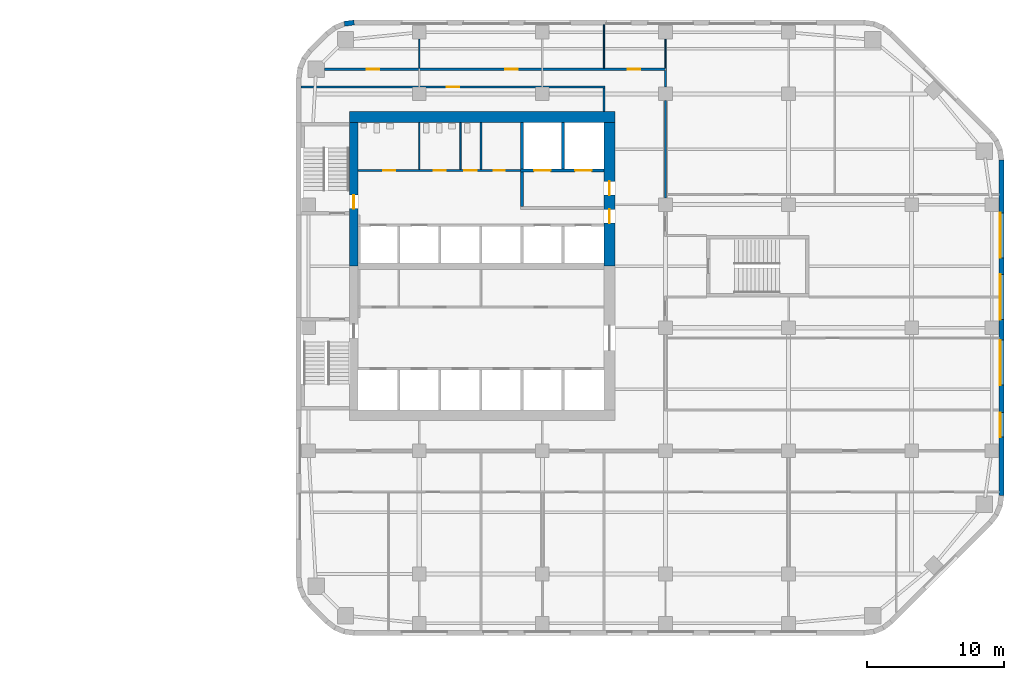
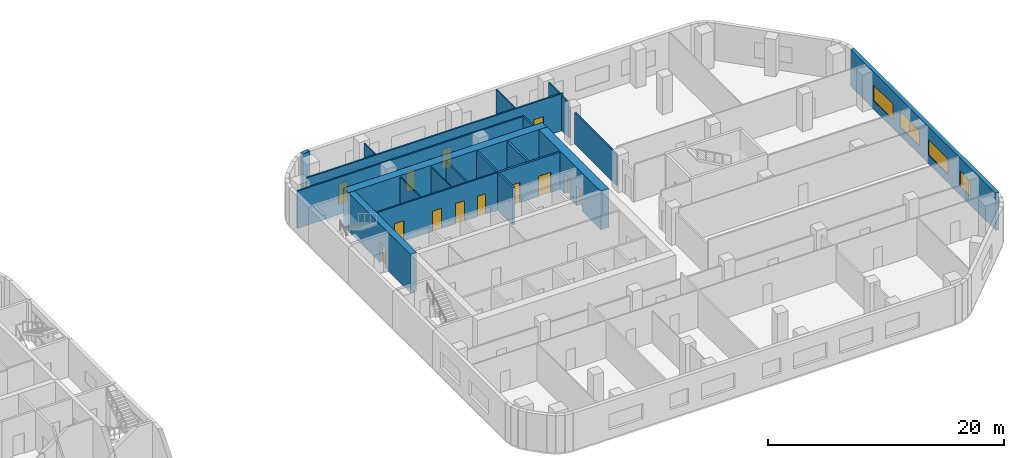
# One storey, part 10 of 15: 21 walls, 13 doors, 4 windows, 17 openings.
"""IFC4 building model written with IfcOpenShell, lengths in metres."""

import ifcopenshell
import ifcopenshell.guid

model = None  # the IFC model being written
_history = None  # IfcOwnerHistory: only IFC2X3 demands one
_inside = {}  # id of a spatial element -> (the spatial element, [elements in it])
_under = {}  # id of a project, library or spatial element -> (it, [spatial elements below it])
_declared = {}  # id of a project -> (the project, [libraries it declares])
_typed = {}  # id of a type object -> (the type object, [elements of that type])
_made_of = {}  # id of a material, layer set ... -> (it, [elements and type objects made of it])


def new_model(schema):
    """Start an empty IFC model of exactly this schema.

    Asked for "IFC4X3", IfcOpenShell would pick the latest addendum, in which some entities
    have other attributes; the version numbers below select the first issue.
    IFC2X3 requires an IfcOwnerHistory on every rooted entity: one is made here for all.
    """
    global model, _history
    if schema == "IFC4X3":
        model = ifcopenshell.file(schema_version=(4, 3, 0, 0))
    else:
        model = ifcopenshell.file(schema=schema)
    _inside.clear()
    _under.clear()
    _declared.clear()
    _typed.clear()
    _made_of.clear()
    _history = None
    if model.schema == "IFC2X3":
        org = make("IfcOrganization", Name="unknown")
        user = make(
            "IfcPersonAndOrganization",
            ThePerson=make("IfcPerson", FamilyName="unknown"),
            TheOrganization=org,
        )
        app = make(
            "IfcApplication",
            ApplicationDeveloper=org,
            Version="unknown",
            ApplicationFullName="unknown",
            ApplicationIdentifier="unknown",
        )
        _history = make(
            "IfcOwnerHistory",
            OwningUser=user,
            OwningApplication=app,
            ChangeAction="ADDED",
            CreationDate=0,
        )
    return model


def make(cls, **values):
    """One entity of the class cls with the attributes given. An attribute that is None is left unset."""
    return model.create_entity(
        cls, **{name: value for name, value in values.items() if value is not None}
    )


def rooted(cls, **values):
    """An entity with a GlobalId (a new one), such as an element, a storey or a relation."""
    return make(cls, GlobalId=ifcopenshell.guid.new(), OwnerHistory=_history, **values)


def si_unit(unit_type, name, prefix=None):
    """IfcSIUnit, for example si_unit("LENGTHUNIT", "METRE", prefix="MILLI")."""
    return make("IfcSIUnit", UnitType=unit_type, Prefix=prefix, Name=name)


def assignment(units):
    """IfcUnitAssignment: the units of a project."""
    return None if units is None else make("IfcUnitAssignment", Units=units)


def point(xyz):
    """IfcCartesianPoint."""
    return None if xyz is None else make("IfcCartesianPoint", Coordinates=xyz)


def direction(xyz):
    """IfcDirection."""
    return None if xyz is None else make("IfcDirection", DirectionRatios=xyz)


def frame(location, z_axis=None, x_axis=None):
    """IfcAxis2Placement3D, a coordinate frame: its origin and axes. An axis left out is left unset."""
    return make(
        "IfcAxis2Placement3D",
        Location=point(location),
        Axis=direction(z_axis),
        RefDirection=direction(x_axis),
    )


def frame_2d(location, x_axis=None):
    """IfcAxis2Placement2D, a coordinate frame in the plane: its origin and x axis."""
    return make(
        "IfcAxis2Placement2D", Location=point(location), RefDirection=direction(x_axis)
    )


def origin():
    """The frame at (0, 0, 0) with its axes left unset."""
    return frame((0.0, 0.0, 0.0))


def place(relative_to, where):
    """IfcLocalPlacement: puts the frame where relative to a parent placement (None: the world)."""
    return make(
        "IfcLocalPlacement", PlacementRelTo=relative_to, RelativePlacement=where
    )


def context(
    kind, dimensions, precision=None, world=None, true_north=None, identifier=None
):
    """IfcGeometricRepresentationContext, for example the 3D "Model" context."""
    return make(
        "IfcGeometricRepresentationContext",
        ContextIdentifier=identifier,
        ContextType=kind,
        CoordinateSpaceDimension=dimensions,
        Precision=precision,
        WorldCoordinateSystem=world,
        TrueNorth=true_north,
    )


def subcontext(parent, identifier, kind, view, scale=None):
    """IfcGeometricRepresentationSubContext, for example "Body" below "Model"."""
    return make(
        "IfcGeometricRepresentationSubContext",
        ContextIdentifier=identifier,
        ContextType=kind,
        ParentContext=parent,
        TargetScale=scale,
        TargetView=view,
    )


def project(units=None, contexts=None):
    """IfcProject with its units and contexts."""
    return rooted(
        "IfcProject",
        Name="project",
        RepresentationContexts=contexts,
        UnitsInContext=assignment(units),
    )


def spatial(cls, under=None, at=None, **own):
    """A site, building, storey or space (cls), placed at a placement, below another one or the project."""
    s = rooted(cls, ObjectPlacement=at, **own)
    if under is not None:
        _under.setdefault(under.id(), (under, []))[1].append(s)
    return s


def profile(cls, at=None, kind="AREA", **sizes):
    """A parametric profile (cls). Its sizes go by their IFC names, for example OverallWidth=200.0."""
    return make(cls, ProfileType=kind, Position=at, **sizes)


def rectangle(**sizes):
    """IfcRectangleProfileDef."""
    return profile("IfcRectangleProfileDef", **sizes)


def extrude(swept, where, along, depth):
    """IfcExtrudedAreaSolid: the profile swept, set in the frame where, extruded along a direction by depth."""
    return make(
        "IfcExtrudedAreaSolid",
        SweptArea=swept,
        Position=where,
        ExtrudedDirection=direction(along),
        Depth=depth,
    )


def shape(context_of_items, identifier, shape_type, items):
    """IfcShapeRepresentation: the items that make up one representation, for example the "Body"."""
    return make(
        "IfcShapeRepresentation",
        ContextOfItems=context_of_items,
        RepresentationIdentifier=identifier,
        RepresentationType=shape_type,
        Items=items,
    )


def material(Name=None, Category=None):
    """IfcMaterial."""
    return make("IfcMaterial", Name=Name, Category=Category)


def layer(
    of_material, thickness, ventilated=None, Name=None, Category=None, Priority=None
):
    """IfcMaterialLayer: one layer of a wall or slab, of a material (None: an air gap)."""
    return make(
        "IfcMaterialLayer",
        Material=of_material,
        LayerThickness=thickness,
        IsVentilated=ventilated,
        Name=Name,
        Category=Category,
        Priority=Priority,
    )


def layer_set(layers, Name=None):
    """IfcMaterialLayerSet."""
    return make("IfcMaterialLayerSet", MaterialLayers=layers, LayerSetName=Name)


def made_of(thing, what):
    """Note that an element or type object is made of a material, layer set ...; save() writes the relation."""
    if what is not None:
        _made_of.setdefault(what.id(), (what, []))[1].append(thing)
    return thing


def type_object(cls, material=None, **own):
    """A type object (cls), such as IfcWallType, which elements share."""
    return made_of(rooted(cls, **own), material)


def element(
    cls,
    number,
    at=None,
    inside=None,
    cuts=None,
    type_object=None,
    material=None,
    context=None,
    identifier="Body",
    shape_type=None,
    held_by="IfcProductDefinitionShape",
    body=None,
    shapes=None,
    **own,
):
    """One element of the class cls, such as IfcWall. Its Tag is "e" and its number.

    at: its placement. inside: the storey or other place that contains it. cuts: it is an
    opening in that element (IfcRelVoidsElement). A single representation is given by context,
    identifier, shape_type and body (its items); several are given by shapes. held_by: the class
    of the entity that holds the representations. save() writes the other relations.
    """
    e = rooted(cls, Tag="e%d" % number, ObjectPlacement=at, **own)
    if body is not None:
        shapes = [shape(context, identifier, shape_type, body)]
    if shapes is not None:
        e.Representation = make(held_by, Representations=shapes)
    if inside is not None:
        _inside.setdefault(inside.id(), (inside, []))[1].append(e)
    if cuts is not None:
        rooted(
            "IfcRelVoidsElement", RelatingBuildingElement=cuts, RelatedOpeningElement=e
        )
    if type_object is not None:
        _typed.setdefault(type_object.id(), (type_object, []))[1].append(e)
    return made_of(e, material)


def fill(opening, filler):
    """IfcRelFillsElement: the door or window that sits in an opening."""
    return rooted(
        "IfcRelFillsElement",
        RelatingOpeningElement=opening,
        RelatedBuildingElement=filler,
    )


def aggregate(whole, parts):
    """IfcRelAggregates: a whole, such as a stair, and the parts it consists of."""
    return rooted("IfcRelAggregates", RelatingObject=whole, RelatedObjects=parts)


def save(model, path):
    """Write the relations noted so far, then the file.

    IfcRelAggregates (storeys below a building ...), IfcRelContainedInSpatialStructure (elements
    in a storey), IfcRelDefinesByType, IfcRelAssociatesMaterial and IfcRelDeclares: one each for
    every whole, place, type object, material and project.
    """
    for whole, parts in _under.values():
        aggregate(whole, parts)
    for where, things in _inside.values():
        rooted(
            "IfcRelContainedInSpatialStructure",
            RelatedElements=things,
            RelatingStructure=where,
        )
    for kind, things in _typed.values():
        rooted("IfcRelDefinesByType", RelatedObjects=things, RelatingType=kind)
    for what, things in _made_of.values():
        rooted("IfcRelAssociatesMaterial", RelatedObjects=things, RelatingMaterial=what)
    for by, libraries in _declared.values():
        rooted("IfcRelDeclares", RelatingContext=by, RelatedDefinitions=libraries)
    model.write(path)


model = new_model("IFC4")

# Units and contexts
model_context = context("Model", 3, precision=1e-05, world=origin(), true_north=direction((0.0, 1.0)))
body_context = subcontext(model_context, "Body", "Model", "MODEL_VIEW")
ifc_project = project(units=[si_unit("LENGTHUNIT", "METRE"), si_unit("AREAUNIT", "SQUARE_METRE"), si_unit("VOLUMEUNIT", "CUBIC_METRE"), si_unit("PLANEANGLEUNIT", "RADIAN"), si_unit("MASSUNIT", "GRAM", prefix="KILO")], contexts=[model_context])

# Site, building, storey
site_placement = place(None, origin())
site = spatial("IfcSite", under=ifc_project, at=site_placement, CompositionType="ELEMENT")
building_placement = place(site_placement, origin())
building = spatial("IfcBuilding", under=site, at=building_placement, Name="Cinnabar Reach Civic Tower", CompositionType="ELEMENT")
storey_placement = place(building_placement, frame((0.0, 0.0, 120.0)))
storey = spatial("IfcBuildingStorey", under=building, at=storey_placement, Name="L28", CompositionType="ELEMENT", Elevation=120.0)

# Wall
ifc_material_1 = material(Name="Facing brick with insulated backing", Category="masonry")
ifc_layer_1 = layer(ifc_material_1, 0.36)
ifc_layer_set_1 = layer_set([ifc_layer_1], Name="Brick corner wall")
wall_type_1 = type_object("IfcWallType", Name="Brick corner wall", PredefinedType="STANDARD", material=ifc_layer_set_1)
wall_1_placement = place(storey_placement, frame((4.2314, 49.317, 0.0), z_axis=(0.0, 0.0, 1.0), x_axis=(-0.99144092581, -0.13055608231, 0.0)))
element("IfcWall", 1, at=wall_1_placement, inside=storey, type_object=wall_type_1, Name="Brick corner wall", PredefinedType="STANDARD", context=body_context, shape_type="SweptSolid", body=[
    extrude(rectangle(XDim=0.7131, YDim=0.36, at=frame_2d((0.3565, 0.0))), origin(), (0.0, 0.0, 1.0), 3.85),
])

# Wall, openings, windows
ifc_layer_2 = layer(ifc_material_1, 0.36)
ifc_layer_set_2 = layer_set([ifc_layer_2], Name="Brick pier and spandrel wall")
wall_type_2 = type_object("IfcWallType", Name="Brick pier and spandrel wall", PredefinedType="STANDARD", material=ifc_layer_set_2)
wall_2_placement = place(storey_placement, frame((51.57, 14.7426, 0.0), z_axis=(0.0, 0.0, 1.0), x_axis=(0.0, 1.0, 0.0)))
wall_2 = element("IfcWall", 2, at=wall_2_placement, inside=storey, type_object=wall_type_2, Name="Brick facade wall", PredefinedType="STANDARD", context=body_context, shape_type="SweptSolid", body=[
    extrude(rectangle(XDim=24.5148, YDim=0.36, at=frame_2d((12.2574, 0.0))), origin(), (0.0, 0.0, 1.0), 3.85),
])
opening_1_placement = place(wall_2_placement, frame((4.2574, 0.0, 0.9)))
opening_1 = element("IfcOpeningElement", 3, at=opening_1_placement, cuts=wall_2, Name="Opening W1597", PredefinedType="OPENING", context=body_context, shape_type="SweptSolid", body=[
    extrude(rectangle(XDim=1.8, YDim=1.6, at=frame_2d((0.9, 0.8))), frame((0.0, 0.19, 0.0), z_axis=(0.0, -1.0, 0.0), x_axis=(1.0, 0.0, 0.0)), (0.0, 0.0, 1.0), 0.38),
])
opening_2_placement = place(wall_2_placement, frame((8.0574, 0.0, 0.9)))
opening_2 = element("IfcOpeningElement", 4, at=opening_2_placement, cuts=wall_2, Name="Opening W1598", PredefinedType="OPENING", context=body_context, shape_type="SweptSolid", body=[
    extrude(rectangle(XDim=3.3, YDim=1.6, at=frame_2d((1.65, 0.8))), frame((0.0, 0.19, 0.0), z_axis=(0.0, -1.0, 0.0), x_axis=(1.0, 0.0, 0.0)), (0.0, 0.0, 1.0), 0.38),
])
opening_3_placement = place(wall_2_placement, frame((12.8574, 0.0, 0.9)))
opening_3 = element("IfcOpeningElement", 5, at=opening_3_placement, cuts=wall_2, Name="Opening W1599", PredefinedType="OPENING", context=body_context, shape_type="SweptSolid", body=[
    extrude(rectangle(XDim=3.3, YDim=1.6, at=frame_2d((1.65, 0.8))), frame((0.0, 0.19, 0.0), z_axis=(0.0, -1.0, 0.0), x_axis=(1.0, 0.0, 0.0)), (0.0, 0.0, 1.0), 0.38),
])
opening_4_placement = place(wall_2_placement, frame((17.3574, 0.0, 0.9)))
opening_4 = element("IfcOpeningElement", 6, at=opening_4_placement, cuts=wall_2, Name="Opening W1600", PredefinedType="OPENING", context=body_context, shape_type="SweptSolid", body=[
    extrude(rectangle(XDim=3.3, YDim=1.6, at=frame_2d((1.65, 0.8))), frame((0.0, 0.19, 0.0), z_axis=(0.0, -1.0, 0.0), x_axis=(1.0, 0.0, 0.0)), (0.0, 0.0, 1.0), 0.38),
])
ifc_material_2 = material(Name="Clear double glazing in aluminium frame", Category="aluminium")
window_type_1 = type_object("IfcWindowType", Name="Deep-set window A", PartitioningType="SINGLE_PANEL", PredefinedType="WINDOW", material=ifc_material_2)
window_1_placement = place(opening_2_placement, origin())
window_1 = element("IfcWindow", 7, at=window_1_placement, inside=storey, type_object=window_type_1, Name="Window east face", OverallHeight=1.6, OverallWidth=3.3, PartitioningType="SINGLE_PANEL", PredefinedType="WINDOW", context=body_context, shape_type="SweptSolid", body=[
    extrude(rectangle(XDim=3.3, YDim=1.6, at=frame_2d((1.65, 0.8))), frame((0.0, 0.13, 0.0), z_axis=(0.0, -1.0, 0.0), x_axis=(1.0, 0.0, 0.0)), (0.0, 0.0, 1.0), 0.06),
])
fill(opening_2, window_1)
window_2_placement = place(opening_3_placement, origin())
window_2 = element("IfcWindow", 8, at=window_2_placement, inside=storey, type_object=window_type_1, Name="Window east face", OverallHeight=1.6, OverallWidth=3.3, PartitioningType="SINGLE_PANEL", PredefinedType="WINDOW", context=body_context, shape_type="SweptSolid", body=[
    extrude(rectangle(XDim=3.3, YDim=1.6, at=frame_2d((1.65, 0.8))), frame((0.0, 0.13, 0.0), z_axis=(0.0, -1.0, 0.0), x_axis=(1.0, 0.0, 0.0)), (0.0, 0.0, 1.0), 0.06),
])
fill(opening_3, window_2)
window_3_placement = place(opening_4_placement, origin())
window_3 = element("IfcWindow", 9, at=window_3_placement, inside=storey, type_object=window_type_1, Name="Window east face", OverallHeight=1.6, OverallWidth=3.3, PartitioningType="SINGLE_PANEL", PredefinedType="WINDOW", context=body_context, shape_type="SweptSolid", body=[
    extrude(rectangle(XDim=3.3, YDim=1.6, at=frame_2d((1.65, 0.8))), frame((0.0, 0.13, 0.0), z_axis=(0.0, -1.0, 0.0), x_axis=(1.0, 0.0, 0.0)), (0.0, 0.0, 1.0), 0.06),
])
fill(opening_4, window_3)
window_type_2 = type_object("IfcWindowType", Name="Deep-set window D", PartitioningType="SINGLE_PANEL", PredefinedType="WINDOW", material=ifc_material_2)
window_4_placement = place(opening_1_placement, origin())
window_4 = element("IfcWindow", 10, at=window_4_placement, inside=storey, type_object=window_type_2, Name="Window east face", OverallHeight=1.6, OverallWidth=1.8, PartitioningType="SINGLE_PANEL", PredefinedType="WINDOW", context=body_context, shape_type="SweptSolid", body=[
    extrude(rectangle(XDim=1.8, YDim=1.6, at=frame_2d((0.9, 0.8))), frame((0.0, 0.13, 0.0), z_axis=(0.0, -1.0, 0.0), x_axis=(1.0, 0.0, 0.0)), (0.0, 0.0, 1.0), 0.06),
])
fill(opening_1, window_4)

# Wall, opening, door
ifc_material_3 = material(Name="Concrete C70", Category="concrete")
ifc_layer_3 = layer(ifc_material_3, 0.6)
ifc_layer_set_3 = layer_set([ifc_layer_3], Name="Core wall 600 EI 180")
wall_type_3 = type_object("IfcWallType", Name="Core wall 600 EI 180", PredefinedType="SOLIDWALL", material=ifc_layer_set_3)
wall_3_placement = place(storey_placement, frame((4.2, 42.0, 0.0), z_axis=(0.0, 0.0, 1.0), x_axis=(0.0, -1.0, 0.0)))
wall_3 = element("IfcWall", 11, at=wall_3_placement, inside=storey, type_object=wall_type_3, Name="Core wall T1 L28 W", PredefinedType="SOLIDWALL", context=body_context, shape_type="SweptSolid", body=[
    extrude(rectangle(XDim=10.5, YDim=0.6, at=frame_2d((5.25, 0.0))), origin(), (0.0, 0.0, 1.0), 4.0),
])
opening_5_placement = place(wall_3_placement, frame((5.3, 0.0, 0.0)))
opening_5 = element("IfcOpeningElement", 12, at=opening_5_placement, cuts=wall_3, Name="Opening D4128", PredefinedType="OPENING", context=body_context, shape_type="SweptSolid", body=[
    extrude(rectangle(XDim=1.0, YDim=2.1, at=frame_2d((0.5, 1.05))), frame((0.0, 0.31, 0.0), z_axis=(0.0, -1.0, 0.0), x_axis=(1.0, 0.0, 0.0)), (0.0, 0.0, 1.0), 0.62),
])
ifc_material_4 = material(Name="Timber door leaf in steel frame", Category="steel")
door_type_1 = type_object("IfcDoorType", Name="Stair door 1000 x 2100 T1", OperationType="SINGLE_SWING_LEFT", PredefinedType="DOOR", material=ifc_material_4)
door_1_placement = place(opening_5_placement, frame((1.0, 0.0, 0.0), z_axis=(0.0, 0.0, 1.0), x_axis=(-1.0, 0.0, 0.0)))
door_1 = element("IfcDoor", 13, at=door_1_placement, inside=storey, type_object=door_type_1, Name="Door D4128", OperationType="SINGLE_SWING_LEFT", OverallHeight=2.1, OverallWidth=1.0, PredefinedType="DOOR", context=body_context, shape_type="SweptSolid", body=[
    extrude(rectangle(XDim=1.0, YDim=2.1, at=frame_2d((0.5, 1.05))), frame((0.0, 0.025, 0.0), z_axis=(0.0, -1.0, 0.0), x_axis=(1.0, 0.0, 0.0)), (0.0, 0.0, 1.0), 0.05),
])
fill(opening_5, door_1)

# Wall
ifc_layer_4 = layer(ifc_material_3, 0.8)
ifc_layer_set_4 = layer_set([ifc_layer_4], Name="Core wall 800 EI 180")
wall_type_4 = type_object("IfcWallType", Name="Core wall 800 EI 180", PredefinedType="SOLIDWALL", material=ifc_layer_set_4)
wall_4_placement = place(storey_placement, frame((23.3, 42.4, 0.0), z_axis=(0.0, 0.0, 1.0), x_axis=(-1.0, 0.0, 0.0)))
element("IfcWall", 14, at=wall_4_placement, inside=storey, type_object=wall_type_4, Name="Core wall T1 L28 N", PredefinedType="SOLIDWALL", context=body_context, shape_type="SweptSolid", body=[
    extrude(rectangle(XDim=19.4, YDim=0.8, at=frame_2d((9.7, 0.0))), origin(), (0.0, 0.0, 1.0), 4.0),
])

# Wall, openings, doors
wall_5_placement = place(storey_placement, frame((22.9, 31.5, 0.0), z_axis=(0.0, 0.0, 1.0), x_axis=(0.0, 1.0, 0.0)))
wall_5 = element("IfcWall", 15, at=wall_5_placement, inside=storey, type_object=wall_type_4, Name="Core wall T1 L28 E2", PredefinedType="SOLIDWALL", context=body_context, shape_type="SweptSolid", body=[
    extrude(rectangle(XDim=10.5, YDim=0.8, at=frame_2d((5.25, 0.0))), origin(), (0.0, 0.0, 1.0), 4.0),
])
opening_6_placement = place(wall_5_placement, frame((3.15, 0.0, 0.0)))
opening_6 = element("IfcOpeningElement", 16, at=opening_6_placement, cuts=wall_5, Name="Opening D4143", PredefinedType="OPENING", context=body_context, shape_type="SweptSolid", body=[
    extrude(rectangle(XDim=1.0, YDim=2.1, at=frame_2d((0.5, 1.05))), frame((0.0, 0.41, 0.0), z_axis=(0.0, -1.0, 0.0), x_axis=(1.0, 0.0, 0.0)), (0.0, 0.0, 1.0), 0.82),
])
opening_7_placement = place(wall_5_placement, frame((5.2, 0.0, 0.0)))
opening_7 = element("IfcOpeningElement", 17, at=opening_7_placement, cuts=wall_5, Name="Opening D4144", PredefinedType="OPENING", context=body_context, shape_type="SweptSolid", body=[
    extrude(rectangle(XDim=1.0, YDim=2.1, at=frame_2d((0.5, 1.05))), frame((0.0, 0.41, 0.0), z_axis=(0.0, -1.0, 0.0), x_axis=(1.0, 0.0, 0.0)), (0.0, 0.0, 1.0), 0.82),
])
door_type_2 = type_object("IfcDoorType", Name="Firefighting lobby door 1000 x 2100 T1", OperationType="SINGLE_SWING_LEFT", PredefinedType="DOOR", material=ifc_material_4)
door_2_placement = place(opening_7_placement, origin())
door_2 = element("IfcDoor", 18, at=door_2_placement, inside=storey, type_object=door_type_2, Name="Door D4144", OperationType="SINGLE_SWING_RIGHT", OverallHeight=2.1, OverallWidth=1.0, PredefinedType="DOOR", context=body_context, shape_type="SweptSolid", body=[
    extrude(rectangle(XDim=1.0, YDim=2.1, at=frame_2d((0.5, 1.05))), frame((0.0, 0.025, 0.0), z_axis=(0.0, -1.0, 0.0), x_axis=(1.0, 0.0, 0.0)), (0.0, 0.0, 1.0), 0.05),
])
fill(opening_7, door_2)
door_type_3 = type_object("IfcDoorType", Name="Single swing door 1000 x 2100 T1", OperationType="SINGLE_SWING_LEFT", PredefinedType="DOOR", material=ifc_material_4)
door_3_placement = place(opening_6_placement, origin())
door_3 = element("IfcDoor", 19, at=door_3_placement, inside=storey, type_object=door_type_3, Name="Door D4143", OperationType="SINGLE_SWING_RIGHT", OverallHeight=2.1, OverallWidth=1.0, PredefinedType="DOOR", context=body_context, shape_type="SweptSolid", body=[
    extrude(rectangle(XDim=1.0, YDim=2.1, at=frame_2d((0.5, 1.05))), frame((0.0, 0.025, 0.0), z_axis=(0.0, -1.0, 0.0), x_axis=(1.0, 0.0, 0.0)), (0.0, 0.0, 1.0), 0.05),
])
fill(opening_6, door_3)

ifc_material_5 = material(Name="Gypsum board on steel studs, double layer", Category="steel")
ifc_layer_5 = layer(ifc_material_5, 0.15)
ifc_layer_set_5 = layer_set([ifc_layer_5], Name="Corridor wall 150 T1")
wall_type_5 = type_object("IfcWallType", Name="Corridor wall 150 T1", PredefinedType="PARTITIONING", material=ifc_layer_set_5)
wall_6_placement = place(storey_placement, frame((2.0531, 45.9, 0.0), z_axis=(0.0, 0.0, 1.0), x_axis=(1.0, 0.0, 0.0)))
wall_6 = element("IfcWall", 20, at=wall_6_placement, inside=storey, type_object=wall_type_5, Name="Corridor wall 25", PredefinedType="PARTITIONING", context=body_context, shape_type="SweptSolid", body=[
    extrude(rectangle(XDim=25.0219, YDim=0.15, at=frame_2d((12.5109, 0.0))), origin(), (0.0, 0.0, 1.0), 3.85),
])
opening_8_placement = place(wall_6_placement, frame((3.1, 0.0, 0.0)))
opening_8 = element("IfcOpeningElement", 21, at=opening_8_placement, cuts=wall_6, Name="Opening D4169", PredefinedType="OPENING", context=body_context, shape_type="SweptSolid", body=[
    extrude(rectangle(XDim=0.9, YDim=2.1, at=frame_2d((0.45, 1.05))), frame((0.0, 0.085, 0.0), z_axis=(0.0, -1.0, 0.0), x_axis=(1.0, 0.0, 0.0)), (0.0, 0.0, 1.0), 0.17),
])
opening_9_placement = place(wall_6_placement, frame((13.2469, 0.0, 0.0)))
opening_9 = element("IfcOpeningElement", 22, at=opening_9_placement, cuts=wall_6, Name="Opening D4170", PredefinedType="OPENING", context=body_context, shape_type="SweptSolid", body=[
    extrude(rectangle(XDim=0.9, YDim=2.1, at=frame_2d((0.45, 1.05))), frame((0.0, 0.085, 0.0), z_axis=(0.0, -1.0, 0.0), x_axis=(1.0, 0.0, 0.0)), (0.0, 0.0, 1.0), 0.17),
])
opening_10_placement = place(wall_6_placement, frame((22.1969, 0.0, 0.0)))
opening_10 = element("IfcOpeningElement", 23, at=opening_10_placement, cuts=wall_6, Name="Opening D4171", PredefinedType="OPENING", context=body_context, shape_type="SweptSolid", body=[
    extrude(rectangle(XDim=0.9, YDim=2.1, at=frame_2d((0.45, 1.05))), frame((0.0, 0.085, 0.0), z_axis=(0.0, -1.0, 0.0), x_axis=(1.0, 0.0, 0.0)), (0.0, 0.0, 1.0), 0.17),
])
door_type_4 = type_object("IfcDoorType", Name="Single swing door 900 x 2100 corridor T1", OperationType="SINGLE_SWING_LEFT", PredefinedType="DOOR", material=ifc_material_4)
door_4_placement = place(opening_8_placement, origin())
door_4 = element("IfcDoor", 24, at=door_4_placement, inside=storey, type_object=door_type_4, Name="Door D4169", OperationType="SINGLE_SWING_RIGHT", OverallHeight=2.1, OverallWidth=0.9, PredefinedType="DOOR", context=body_context, shape_type="SweptSolid", body=[
    extrude(rectangle(XDim=0.9, YDim=2.1, at=frame_2d((0.45, 1.05))), frame((0.0, 0.025, 0.0), z_axis=(0.0, -1.0, 0.0), x_axis=(1.0, 0.0, 0.0)), (0.0, 0.0, 1.0), 0.05),
])
fill(opening_8, door_4)
door_5_placement = place(opening_9_placement, origin())
door_5 = element("IfcDoor", 25, at=door_5_placement, inside=storey, type_object=door_type_4, Name="Door D4170", OperationType="SINGLE_SWING_RIGHT", OverallHeight=2.1, OverallWidth=0.9, PredefinedType="DOOR", context=body_context, shape_type="SweptSolid", body=[
    extrude(rectangle(XDim=0.9, YDim=2.1, at=frame_2d((0.45, 1.05))), frame((0.0, 0.025, 0.0), z_axis=(0.0, -1.0, 0.0), x_axis=(1.0, 0.0, 0.0)), (0.0, 0.0, 1.0), 0.05),
])
fill(opening_9, door_5)
door_6_placement = place(opening_10_placement, origin())
door_6 = element("IfcDoor", 26, at=door_6_placement, inside=storey, type_object=door_type_4, Name="Door D4171", OperationType="SINGLE_SWING_LEFT", OverallHeight=2.1, OverallWidth=0.9, PredefinedType="DOOR", context=body_context, shape_type="SweptSolid", body=[
    extrude(rectangle(XDim=0.9, YDim=2.1, at=frame_2d((0.45, 1.05))), frame((0.0, 0.025, 0.0), z_axis=(0.0, -1.0, 0.0), x_axis=(1.0, 0.0, 0.0)), (0.0, 0.0, 1.0), 0.05),
])
fill(opening_10, door_6)

# Wall, opening, door
wall_7_placement = place(storey_placement, frame((0.36, 44.6, 0.0), z_axis=(0.0, 0.0, 1.0), x_axis=(1.0, 0.0, 0.0)))
wall_7 = element("IfcWall", 27, at=wall_7_placement, inside=storey, type_object=wall_type_5, Name="Corridor wall 27", PredefinedType="PARTITIONING", context=body_context, shape_type="SweptSolid", body=[
    extrude(rectangle(XDim=22.215, YDim=0.15, at=frame_2d((11.1075, 0.0))), origin(), (0.0, 0.0, 1.0), 3.85),
])
opening_11_placement = place(wall_7_placement, frame((10.65, 0.0, 0.0)))
opening_11 = element("IfcOpeningElement", 28, at=opening_11_placement, cuts=wall_7, Name="Opening D5789", PredefinedType="OPENING", context=body_context, shape_type="SweptSolid", body=[
    extrude(rectangle(XDim=0.9, YDim=2.1, at=frame_2d((0.45, 1.05))), frame((0.0, 0.085, 0.0), z_axis=(0.0, -1.0, 0.0), x_axis=(1.0, 0.0, 0.0)), (0.0, 0.0, 1.0), 0.17),
])
door_7_placement = place(opening_11_placement, frame((0.9, 0.0, 0.0), z_axis=(0.0, 0.0, 1.0), x_axis=(-1.0, 0.0, 0.0)))
door_7 = element("IfcDoor", 29, at=door_7_placement, inside=storey, type_object=door_type_4, Name="Door D5789", OperationType="SINGLE_SWING_RIGHT", OverallHeight=2.1, OverallWidth=0.9, PredefinedType="DOOR", context=body_context, shape_type="SweptSolid", body=[
    extrude(rectangle(XDim=0.9, YDim=2.1, at=frame_2d((0.45, 1.05))), frame((0.0, 0.025, 0.0), z_axis=(0.0, -1.0, 0.0), x_axis=(1.0, 0.0, 0.0)), (0.0, 0.0, 1.0), 0.05),
])
fill(opening_11, door_7)

# Walls
wall_8_placement = place(storey_placement, frame((27.0, 36.5, 0.0), z_axis=(0.0, 0.0, 1.0), x_axis=(0.0, 1.0, 0.0)))
element("IfcWall", 30, at=wall_8_placement, inside=storey, type_object=wall_type_5, Name="Corridor wall 30", PredefinedType="PARTITIONING", context=body_context, shape_type="SweptSolid", body=[
    extrude(rectangle(XDim=7.1, YDim=0.15, at=frame_2d((3.55, 0.0))), origin(), (0.0, 0.0, 1.0), 3.256),
])
wall_9_placement = place(storey_placement, frame((27.0, 44.6, 0.0), z_axis=(0.0, 0.0, 1.0), x_axis=(0.0, 1.0, 0.0)))
element("IfcWall", 31, at=wall_9_placement, inside=storey, type_object=wall_type_5, Name="Corridor wall 31", PredefinedType="PARTITIONING", context=body_context, shape_type="SweptSolid", body=[
    extrude(rectangle(XDim=1.225, YDim=0.15, at=frame_2d((0.6125, 0.0))), origin(), (0.0, 0.0, 1.0), 3.652),
])

# Wall, openings, doors
wall_10_placement = place(storey_placement, frame((4.5, 38.5, 0.0), z_axis=(0.0, 0.0, 1.0), x_axis=(1.0, 0.0, 0.0)))
wall_10 = element("IfcWall", 32, at=wall_10_placement, inside=storey, type_object=wall_type_5, Name="Corridor wall 32", PredefinedType="PARTITIONING", context=body_context, shape_type="SweptSolid", body=[
    extrude(rectangle(XDim=11.9, YDim=0.15, at=frame_2d((5.95, 0.0))), origin(), (0.0, 0.0, 1.0), 3.85),
])
opening_12_placement = place(wall_10_placement, frame((1.85, 0.0, 0.0)))
opening_12 = element("IfcOpeningElement", 33, at=opening_12_placement, cuts=wall_10, Name="Opening D4149", PredefinedType="OPENING", context=body_context, shape_type="SweptSolid", body=[
    extrude(rectangle(XDim=0.9, YDim=2.1, at=frame_2d((0.45, 1.05))), frame((0.0, 0.085, 0.0), z_axis=(0.0, -1.0, 0.0), x_axis=(1.0, 0.0, 0.0)), (0.0, 0.0, 1.0), 0.17),
])
opening_13_placement = place(wall_10_placement, frame((5.55, 0.0, 0.0)))
opening_13 = element("IfcOpeningElement", 34, at=opening_13_placement, cuts=wall_10, Name="Opening D4150", PredefinedType="OPENING", context=body_context, shape_type="SweptSolid", body=[
    extrude(rectangle(XDim=0.9, YDim=2.1, at=frame_2d((0.45, 1.05))), frame((0.0, 0.085, 0.0), z_axis=(0.0, -1.0, 0.0), x_axis=(1.0, 0.0, 0.0)), (0.0, 0.0, 1.0), 0.17),
])
opening_14_placement = place(wall_10_placement, frame((7.8, 0.0, 0.0)))
opening_14 = element("IfcOpeningElement", 35, at=opening_14_placement, cuts=wall_10, Name="Opening D4151", PredefinedType="OPENING", context=body_context, shape_type="SweptSolid", body=[
    extrude(rectangle(XDim=0.9, YDim=2.1, at=frame_2d((0.45, 1.05))), frame((0.0, 0.085, 0.0), z_axis=(0.0, -1.0, 0.0), x_axis=(1.0, 0.0, 0.0)), (0.0, 0.0, 1.0), 0.17),
])
opening_15_placement = place(wall_10_placement, frame((9.95, 0.0, 0.0)))
opening_15 = element("IfcOpeningElement", 36, at=opening_15_placement, cuts=wall_10, Name="Opening D4152", PredefinedType="OPENING", context=body_context, shape_type="SweptSolid", body=[
    extrude(rectangle(XDim=0.8, YDim=2.1, at=frame_2d((0.4, 1.05))), frame((0.0, 0.085, 0.0), z_axis=(0.0, -1.0, 0.0), x_axis=(1.0, 0.0, 0.0)), (0.0, 0.0, 1.0), 0.17),
])
door_type_5 = type_object("IfcDoorType", Name="Riser access door 800 x 2100 T1", OperationType="SINGLE_SWING_LEFT", PredefinedType="DOOR", material=ifc_material_4)
door_8_placement = place(opening_15_placement, origin())
door_8 = element("IfcDoor", 37, at=door_8_placement, inside=storey, type_object=door_type_5, Name="Door D4152", OperationType="SINGLE_SWING_LEFT", OverallHeight=2.1, OverallWidth=0.8, PredefinedType="DOOR", context=body_context, shape_type="SweptSolid", body=[
    extrude(rectangle(XDim=0.8, YDim=2.1, at=frame_2d((0.4, 1.05))), frame((0.0, 0.025, 0.0), z_axis=(0.0, -1.0, 0.0), x_axis=(1.0, 0.0, 0.0)), (0.0, 0.0, 1.0), 0.05),
])
fill(opening_15, door_8)
door_9_placement = place(opening_12_placement, origin())
door_9 = element("IfcDoor", 38, at=door_9_placement, inside=storey, type_object=door_type_4, Name="Door D4149", OperationType="SINGLE_SWING_RIGHT", OverallHeight=2.1, OverallWidth=0.9, PredefinedType="DOOR", context=body_context, shape_type="SweptSolid", body=[
    extrude(rectangle(XDim=0.9, YDim=2.1, at=frame_2d((0.45, 1.05))), frame((0.0, 0.025, 0.0), z_axis=(0.0, -1.0, 0.0), x_axis=(1.0, 0.0, 0.0)), (0.0, 0.0, 1.0), 0.05),
])
fill(opening_12, door_9)
door_10_placement = place(opening_13_placement, origin())
door_10 = element("IfcDoor", 39, at=door_10_placement, inside=storey, type_object=door_type_4, Name="Door D4150", OperationType="SINGLE_SWING_LEFT", OverallHeight=2.1, OverallWidth=0.9, PredefinedType="DOOR", context=body_context, shape_type="SweptSolid", body=[
    extrude(rectangle(XDim=0.9, YDim=2.1, at=frame_2d((0.45, 1.05))), frame((0.0, 0.025, 0.0), z_axis=(0.0, -1.0, 0.0), x_axis=(1.0, 0.0, 0.0)), (0.0, 0.0, 1.0), 0.05),
])
fill(opening_13, door_10)
door_11_placement = place(opening_14_placement, origin())
door_11 = element("IfcDoor", 40, at=door_11_placement, inside=storey, type_object=door_type_4, Name="Door D4151", OperationType="SINGLE_SWING_RIGHT", OverallHeight=2.1, OverallWidth=0.9, PredefinedType="DOOR", context=body_context, shape_type="SweptSolid", body=[
    extrude(rectangle(XDim=0.9, YDim=2.1, at=frame_2d((0.45, 1.05))), frame((0.0, 0.025, 0.0), z_axis=(0.0, -1.0, 0.0), x_axis=(1.0, 0.0, 0.0)), (0.0, 0.0, 1.0), 0.05),
])
fill(opening_14, door_11)

# Walls
wall_11_placement = place(storey_placement, frame((22.5, 42.8, 0.0), z_axis=(0.0, 0.0, 1.0), x_axis=(0.0, 1.0, 0.0)))
element("IfcWall", 41, at=wall_11_placement, inside=storey, type_object=wall_type_5, Name="Corridor wall 39", PredefinedType="PARTITIONING", context=body_context, shape_type="SweptSolid", body=[
    extrude(rectangle(XDim=1.725, YDim=0.15, at=frame_2d((0.8625, 0.0))), origin(), (0.0, 0.0, 1.0), 3.85),
])
ifc_material_6 = material(Name="Blockwork", Category="masonry")
ifc_layer_6 = layer(ifc_material_6, 0.2)
ifc_layer_set_6 = layer_set([ifc_layer_6], Name="Lift shaft wall 200 T1")
wall_type_6 = type_object("IfcWallType", Name="Lift shaft wall 200 T1", PredefinedType="PARTITIONING", material=ifc_layer_set_6)
for number, where, z_axis, x_axis, name in (
    (42, (16.5, 38.6, 0.0), (0.0, 0.0, 1.0), (0.0, 1.0, 0.0), "Lift shaft wall 6"),
    (43, (19.5, 38.6, 0.0), (0.0, 0.0, 1.0), (0.0, 1.0, 0.0), "Lift shaft wall 7"),
):
    element("IfcWall", number, at=place(storey_placement, frame(where, z_axis=z_axis, x_axis=x_axis)), inside=storey, type_object=wall_type_6, Name=name, PredefinedType="PARTITIONING", context=body_context, shape_type="SweptSolid", body=[
        extrude(rectangle(XDim=3.4, YDim=0.2, at=frame_2d((1.7, 0.0))), origin(), (0.0, 0.0, 1.0), 3.85),
    ])
ifc_material_7 = material(Name="Gypsum board on steel studs", Category="steel")
ifc_layer_7 = layer(ifc_material_7, 0.1)
ifc_layer_set_7 = layer_set([ifc_layer_7], Name="Partition wall 100 T1")
wall_type_7 = type_object("IfcWallType", Name="Partition wall 100 T1", PredefinedType="PARTITIONING", material=ifc_layer_set_7)
for number, where, z_axis, x_axis, name in (
    (44, (9.0, 38.575, 0.0), (0.0, 0.0, 1.0), (0.0, 1.0, 0.0), "Partition wall 58"),
    (45, (12.0, 38.575, 0.0), (0.0, 0.0, 1.0), (0.0, 1.0, 0.0), "Partition wall 59"),
):
    element("IfcWall", number, at=place(storey_placement, frame(where, z_axis=z_axis, x_axis=x_axis)), inside=storey, type_object=wall_type_7, Name=name, PredefinedType="PARTITIONING", context=body_context, shape_type="SweptSolid", body=[
        extrude(rectangle(XDim=3.425, YDim=0.1, at=frame_2d((1.7125, 0.0))), origin(), (0.0, 0.0, 1.0), 3.85),
    ])
wall_12_placement = place(storey_placement, frame((9.0, 45.975, 0.0), z_axis=(0.0, 0.0, 1.0), x_axis=(0.0, 1.0, 0.0)))
element("IfcWall", 46, at=wall_12_placement, inside=storey, type_object=wall_type_7, Name="Partition wall 60", PredefinedType="PARTITIONING", context=body_context, shape_type="SweptSolid", body=[
    extrude(rectangle(XDim=2.125, YDim=0.1, at=frame_2d((1.0625, 0.0))), origin(), (0.0, 0.0, 1.0), 3.652),
])
wall_13_placement = place(storey_placement, frame((22.5, 45.975, 0.0), z_axis=(0.0, 0.0, 1.0), x_axis=(0.0, 1.0, 0.0)))
element("IfcWall", 47, at=wall_13_placement, inside=storey, type_object=wall_type_7, Name="Partition wall 61", PredefinedType="PARTITIONING", context=body_context, shape_type="SweptSolid", body=[
    extrude(rectangle(XDim=3.165, YDim=0.1, at=frame_2d((1.5825, 0.0))), origin(), (0.0, 0.0, 1.0), 3.85),
])
wall_14_placement = place(storey_placement, frame((27.0, 45.975, 0.0), z_axis=(0.0, 0.0, 1.0), x_axis=(0.0, 1.0, 0.0)))
element("IfcWall", 48, at=wall_14_placement, inside=storey, type_object=wall_type_7, Name="Partition wall 62", PredefinedType="PARTITIONING", context=body_context, shape_type="SweptSolid", body=[
    extrude(rectangle(XDim=2.125, YDim=0.1, at=frame_2d((1.0625, 0.0))), origin(), (0.0, 0.0, 1.0), 3.652),
])

# Wall, openings, doors
ifc_material_8 = material(Name="Concrete C40", Category="concrete")
ifc_layer_8 = layer(ifc_material_8, 0.2)
ifc_layer_set_8 = layer_set([ifc_layer_8], Name="Refuge compartment wall 200 T1")
wall_type_8 = type_object("IfcWallType", Name="Refuge compartment wall 200 T1", PredefinedType="PARTITIONING", material=ifc_layer_set_8)
wall_15_placement = place(storey_placement, frame((16.4, 38.5, 0.0), z_axis=(0.0, 0.0, 1.0), x_axis=(1.0, 0.0, 0.0)))
wall_15 = element("IfcWall", 49, at=wall_15_placement, inside=storey, type_object=wall_type_8, Name="Refuge compartment wall 2", PredefinedType="PARTITIONING", context=body_context, shape_type="SweptSolid", body=[
    extrude(rectangle(XDim=6.1, YDim=0.2, at=frame_2d((3.05, 0.0))), origin(), (0.0, 0.0, 1.0), 3.85),
])
opening_16_placement = place(wall_15_placement, frame((1.0, 0.0, 0.0)))
opening_16 = element("IfcOpeningElement", 50, at=opening_16_placement, cuts=wall_15, Name="Opening D4140", PredefinedType="OPENING", context=body_context, shape_type="SweptSolid", body=[
    extrude(rectangle(XDim=1.2, YDim=2.1, at=frame_2d((0.6, 1.05))), frame((0.0, 0.11, 0.0), z_axis=(0.0, -1.0, 0.0), x_axis=(1.0, 0.0, 0.0)), (0.0, 0.0, 1.0), 0.22),
])
opening_17_placement = place(wall_15_placement, frame((4.0, 0.0, 0.0)))
opening_17 = element("IfcOpeningElement", 51, at=opening_17_placement, cuts=wall_15, Name="Opening D4141", PredefinedType="OPENING", context=body_context, shape_type="SweptSolid", body=[
    extrude(rectangle(XDim=1.2, YDim=2.1, at=frame_2d((0.6, 1.05))), frame((0.0, 0.11, 0.0), z_axis=(0.0, -1.0, 0.0), x_axis=(1.0, 0.0, 0.0)), (0.0, 0.0, 1.0), 0.22),
])
ifc_material_9 = material(Name="Stainless steel sliding door", Category="steel")
door_type_6 = type_object("IfcDoorType", Name="Firefighting lift landing door 1200 x 2100 T1", OperationType="SLIDING_TO_LEFT", PredefinedType="DOOR", material=ifc_material_9)
door_12_placement = place(opening_16_placement, origin())
door_12 = element("IfcDoor", 52, at=door_12_placement, inside=storey, type_object=door_type_6, Name="Lift landing door FF1 L28", OperationType="SLIDING_TO_LEFT", OverallHeight=2.1, OverallWidth=1.2, PredefinedType="DOOR", context=body_context, shape_type="SweptSolid", body=[
    extrude(rectangle(XDim=1.2, YDim=2.1, at=frame_2d((0.6, 1.05))), frame((0.0, 0.025, 0.0), z_axis=(0.0, -1.0, 0.0), x_axis=(1.0, 0.0, 0.0)), (0.0, 0.0, 1.0), 0.05),
])
fill(opening_16, door_12)
door_13_placement = place(opening_17_placement, origin())
door_13 = element("IfcDoor", 53, at=door_13_placement, inside=storey, type_object=door_type_6, Name="Lift landing door FF2 L28", OperationType="SLIDING_TO_LEFT", OverallHeight=2.1, OverallWidth=1.2, PredefinedType="DOOR", context=body_context, shape_type="SweptSolid", body=[
    extrude(rectangle(XDim=1.2, YDim=2.1, at=frame_2d((0.6, 1.05))), frame((0.0, 0.025, 0.0), z_axis=(0.0, -1.0, 0.0), x_axis=(1.0, 0.0, 0.0)), (0.0, 0.0, 1.0), 0.05),
])
fill(opening_17, door_13)

# Walls
wall_16_placement = place(storey_placement, frame((16.5, 35.85, 0.0), z_axis=(0.0, 0.0, 1.0), x_axis=(0.0, 1.0, 0.0)))
element("IfcWall", 54, at=wall_16_placement, inside=storey, type_object=wall_type_8, Name="Refuge compartment wall 3", PredefinedType="PARTITIONING", context=body_context, shape_type="SweptSolid", body=[
    extrude(rectangle(XDim=2.55, YDim=0.2, at=frame_2d((1.275, 0.0))), origin(), (0.0, 0.0, 1.0), 3.85),
])
ifc_layer_9 = layer(ifc_material_6, 0.15)
ifc_layer_set_9 = layer_set([ifc_layer_9], Name="Riser wall 150 T1")
wall_type_9 = type_object("IfcWallType", Name="Riser wall 150 T1", PredefinedType="PARTITIONING", material=ifc_layer_set_9)
wall_17_placement = place(storey_placement, frame((13.5, 38.575, 0.0), z_axis=(0.0, 0.0, 1.0), x_axis=(0.0, 1.0, 0.0)))
element("IfcWall", 55, at=wall_17_placement, inside=storey, type_object=wall_type_9, Name="Riser wall 41", PredefinedType="PARTITIONING", context=body_context, shape_type="SweptSolid", body=[
    extrude(rectangle(XDim=3.425, YDim=0.15, at=frame_2d((1.7125, 0.0))), origin(), (0.0, 0.0, 1.0), 3.85),
])

save(model, "model.ifc")
